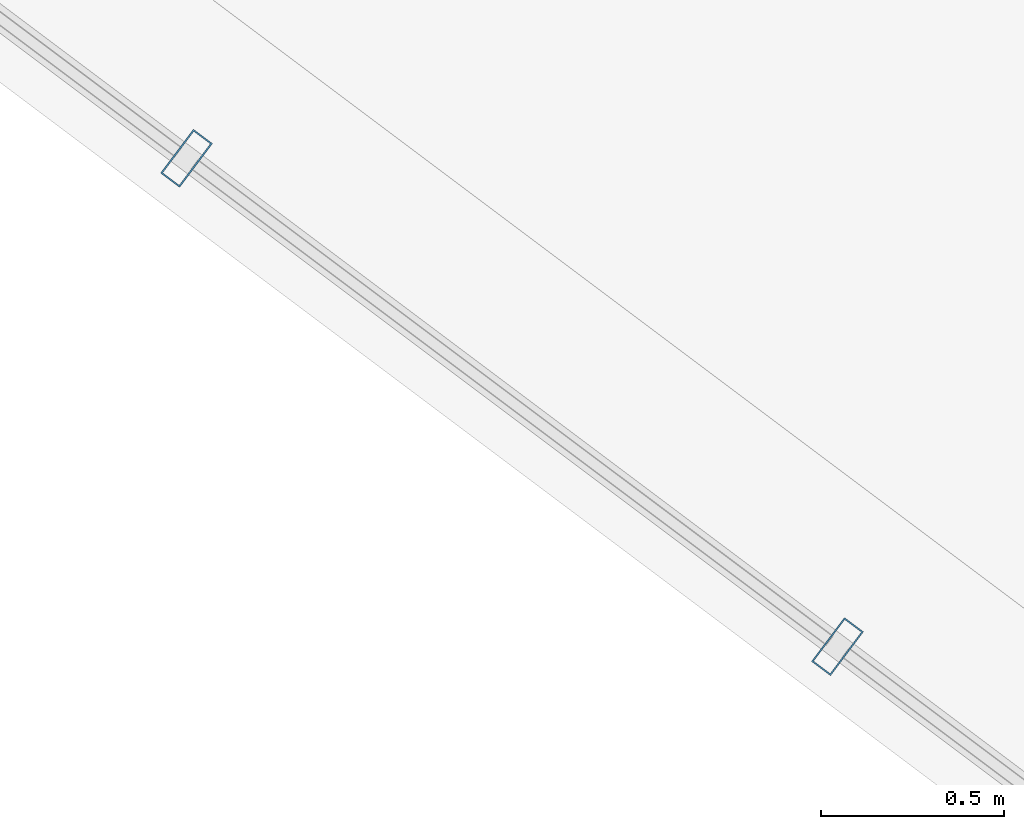
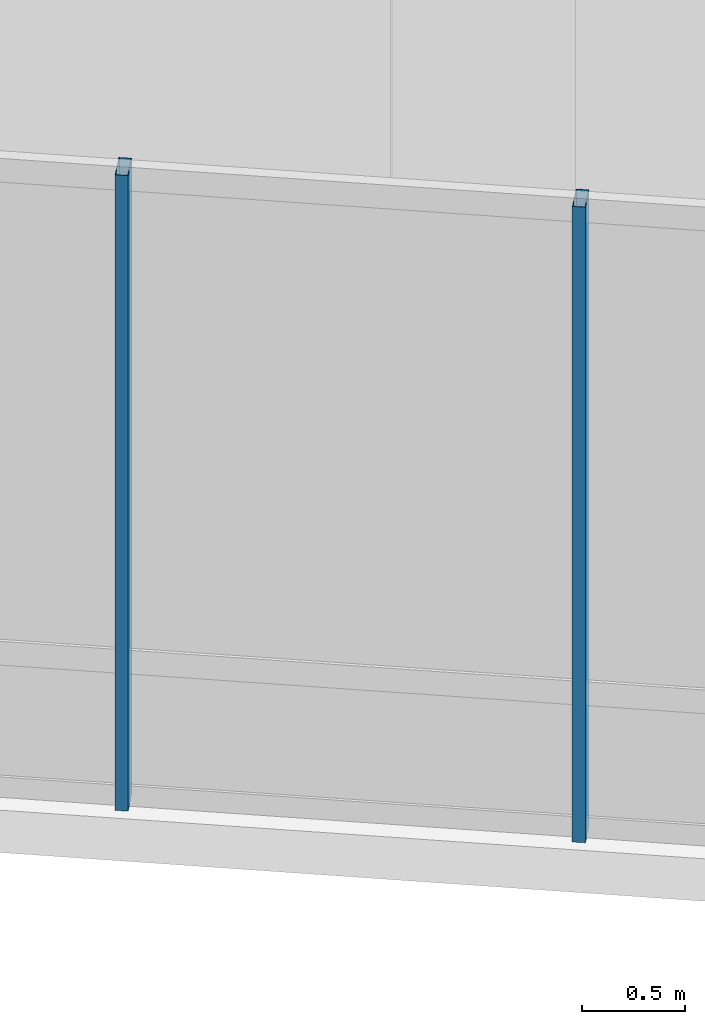
# One storey, part 2 of 30: 2 members, 1 element without a shape of its own.
"""IFC4 building model written with IfcOpenShell, lengths in metres."""

import ifcopenshell
import ifcopenshell.guid

model = None  # the IFC model being written
_history = None  # IfcOwnerHistory: only IFC2X3 demands one
_inside = {}  # id of a spatial element -> (the spatial element, [elements in it])
_under = {}  # id of a project, library or spatial element -> (it, [spatial elements below it])
_declared = {}  # id of a project -> (the project, [libraries it declares])
_typed = {}  # id of a type object -> (the type object, [elements of that type])
_made_of = {}  # id of a material, layer set ... -> (it, [elements and type objects made of it])


def new_model(schema):
    """Start an empty IFC model of exactly this schema.

    Asked for "IFC4X3", IfcOpenShell would pick the latest addendum, in which some entities
    have other attributes; the version numbers below select the first issue.
    IFC2X3 requires an IfcOwnerHistory on every rooted entity: one is made here for all.
    """
    global model, _history
    if schema == "IFC4X3":
        model = ifcopenshell.file(schema_version=(4, 3, 0, 0))
    else:
        model = ifcopenshell.file(schema=schema)
    _inside.clear()
    _under.clear()
    _declared.clear()
    _typed.clear()
    _made_of.clear()
    _history = None
    if model.schema == "IFC2X3":
        org = make("IfcOrganization", Name="unknown")
        user = make(
            "IfcPersonAndOrganization",
            ThePerson=make("IfcPerson", FamilyName="unknown"),
            TheOrganization=org,
        )
        app = make(
            "IfcApplication",
            ApplicationDeveloper=org,
            Version="unknown",
            ApplicationFullName="unknown",
            ApplicationIdentifier="unknown",
        )
        _history = make(
            "IfcOwnerHistory",
            OwningUser=user,
            OwningApplication=app,
            ChangeAction="ADDED",
            CreationDate=0,
        )
    return model


def make(cls, **values):
    """One entity of the class cls with the attributes given. An attribute that is None is left unset."""
    return model.create_entity(
        cls, **{name: value for name, value in values.items() if value is not None}
    )


def rooted(cls, **values):
    """An entity with a GlobalId (a new one), such as an element, a storey or a relation."""
    return make(cls, GlobalId=ifcopenshell.guid.new(), OwnerHistory=_history, **values)


def si_unit(unit_type, name, prefix=None):
    """IfcSIUnit, for example si_unit("LENGTHUNIT", "METRE", prefix="MILLI")."""
    return make("IfcSIUnit", UnitType=unit_type, Prefix=prefix, Name=name)


def assignment(units):
    """IfcUnitAssignment: the units of a project."""
    return None if units is None else make("IfcUnitAssignment", Units=units)


def point(xyz):
    """IfcCartesianPoint."""
    return None if xyz is None else make("IfcCartesianPoint", Coordinates=xyz)


def direction(xyz):
    """IfcDirection."""
    return None if xyz is None else make("IfcDirection", DirectionRatios=xyz)


def frame(location, z_axis=None, x_axis=None):
    """IfcAxis2Placement3D, a coordinate frame: its origin and axes. An axis left out is left unset."""
    return make(
        "IfcAxis2Placement3D",
        Location=point(location),
        Axis=direction(z_axis),
        RefDirection=direction(x_axis),
    )


def frame_2d(location, x_axis=None):
    """IfcAxis2Placement2D, a coordinate frame in the plane: its origin and x axis."""
    return make(
        "IfcAxis2Placement2D", Location=point(location), RefDirection=direction(x_axis)
    )


def origin():
    """The frame at (0, 0, 0) with its axes left unset."""
    return frame((0.0, 0.0, 0.0))


def origin_2d():
    """The frame at (0, 0) in the plane with its x axis left unset."""
    return frame_2d((0.0, 0.0))


def place(relative_to, where):
    """IfcLocalPlacement: puts the frame where relative to a parent placement (None: the world)."""
    return make(
        "IfcLocalPlacement", PlacementRelTo=relative_to, RelativePlacement=where
    )


def context(
    kind, dimensions, precision=None, world=None, true_north=None, identifier=None
):
    """IfcGeometricRepresentationContext, for example the 3D "Model" context."""
    return make(
        "IfcGeometricRepresentationContext",
        ContextIdentifier=identifier,
        ContextType=kind,
        CoordinateSpaceDimension=dimensions,
        Precision=precision,
        WorldCoordinateSystem=world,
        TrueNorth=true_north,
    )


def subcontext(parent, identifier, kind, view, scale=None):
    """IfcGeometricRepresentationSubContext, for example "Body" below "Model"."""
    return make(
        "IfcGeometricRepresentationSubContext",
        ContextIdentifier=identifier,
        ContextType=kind,
        ParentContext=parent,
        TargetScale=scale,
        TargetView=view,
    )


def project(units=None, contexts=None):
    """IfcProject with its units and contexts."""
    return rooted(
        "IfcProject",
        Name="project",
        RepresentationContexts=contexts,
        UnitsInContext=assignment(units),
    )


def spatial(cls, under=None, at=None, **own):
    """A site, building, storey or space (cls), placed at a placement, below another one or the project."""
    s = rooted(cls, ObjectPlacement=at, **own)
    if under is not None:
        _under.setdefault(under.id(), (under, []))[1].append(s)
    return s


def profile(cls, at=None, kind="AREA", **sizes):
    """A parametric profile (cls). Its sizes go by their IFC names, for example OverallWidth=200.0."""
    return make(cls, ProfileType=kind, Position=at, **sizes)


def hollow_rectangle(**sizes):
    """IfcRectangleHollowProfileDef."""
    return profile("IfcRectangleHollowProfileDef", **sizes)


def extrude(swept, where, along, depth):
    """IfcExtrudedAreaSolid: the profile swept, set in the frame where, extruded along a direction by depth."""
    return make(
        "IfcExtrudedAreaSolid",
        SweptArea=swept,
        Position=where,
        ExtrudedDirection=direction(along),
        Depth=depth,
    )


def shape(context_of_items, identifier, shape_type, items):
    """IfcShapeRepresentation: the items that make up one representation, for example the "Body"."""
    return make(
        "IfcShapeRepresentation",
        ContextOfItems=context_of_items,
        RepresentationIdentifier=identifier,
        RepresentationType=shape_type,
        Items=items,
    )


def material(Name=None, Category=None):
    """IfcMaterial."""
    return make("IfcMaterial", Name=Name, Category=Category)


def layer(
    of_material, thickness, ventilated=None, Name=None, Category=None, Priority=None
):
    """IfcMaterialLayer: one layer of a wall or slab, of a material (None: an air gap)."""
    return make(
        "IfcMaterialLayer",
        Material=of_material,
        LayerThickness=thickness,
        IsVentilated=ventilated,
        Name=Name,
        Category=Category,
        Priority=Priority,
    )


def layer_set(layers, Name=None):
    """IfcMaterialLayerSet."""
    return make("IfcMaterialLayerSet", MaterialLayers=layers, LayerSetName=Name)


def material_profile(
    of_material, cross_section, Name=None, Category=None, Priority=None
):
    """IfcMaterialProfile: a cross section and its material."""
    return make(
        "IfcMaterialProfile",
        Name=Name,
        Material=of_material,
        Profile=cross_section,
        Priority=Priority,
        Category=Category,
    )


def profile_set(profiles, Name=None, composite=None):
    """IfcMaterialProfileSet."""
    return make(
        "IfcMaterialProfileSet",
        Name=Name,
        MaterialProfiles=profiles,
        CompositeProfile=composite,
    )


def made_of(thing, what):
    """Note that an element or type object is made of a material, layer set ...; save() writes the relation."""
    if what is not None:
        _made_of.setdefault(what.id(), (what, []))[1].append(thing)
    return thing


def type_object(cls, material=None, **own):
    """A type object (cls), such as IfcWallType, which elements share."""
    return made_of(rooted(cls, **own), material)


def element(
    cls,
    number,
    at=None,
    inside=None,
    cuts=None,
    type_object=None,
    material=None,
    context=None,
    identifier="Body",
    shape_type=None,
    held_by="IfcProductDefinitionShape",
    body=None,
    shapes=None,
    **own,
):
    """One element of the class cls, such as IfcWall. Its Tag is "e" and its number.

    at: its placement. inside: the storey or other place that contains it. cuts: it is an
    opening in that element (IfcRelVoidsElement). A single representation is given by context,
    identifier, shape_type and body (its items); several are given by shapes. held_by: the class
    of the entity that holds the representations. save() writes the other relations.
    """
    e = rooted(cls, Tag="e%d" % number, ObjectPlacement=at, **own)
    if body is not None:
        shapes = [shape(context, identifier, shape_type, body)]
    if shapes is not None:
        e.Representation = make(held_by, Representations=shapes)
    if inside is not None:
        _inside.setdefault(inside.id(), (inside, []))[1].append(e)
    if cuts is not None:
        rooted(
            "IfcRelVoidsElement", RelatingBuildingElement=cuts, RelatedOpeningElement=e
        )
    if type_object is not None:
        _typed.setdefault(type_object.id(), (type_object, []))[1].append(e)
    return made_of(e, material)


def aggregate(whole, parts):
    """IfcRelAggregates: a whole, such as a stair, and the parts it consists of."""
    return rooted("IfcRelAggregates", RelatingObject=whole, RelatedObjects=parts)


def save(model, path):
    """Write the relations noted so far, then the file.

    IfcRelAggregates (storeys below a building ...), IfcRelContainedInSpatialStructure (elements
    in a storey), IfcRelDefinesByType, IfcRelAssociatesMaterial and IfcRelDeclares: one each for
    every whole, place, type object, material and project.
    """
    for whole, parts in _under.values():
        aggregate(whole, parts)
    for where, things in _inside.values():
        rooted(
            "IfcRelContainedInSpatialStructure",
            RelatedElements=things,
            RelatingStructure=where,
        )
    for kind, things in _typed.values():
        rooted("IfcRelDefinesByType", RelatedObjects=things, RelatingType=kind)
    for what, things in _made_of.values():
        rooted("IfcRelAssociatesMaterial", RelatedObjects=things, RelatingMaterial=what)
    for by, libraries in _declared.values():
        rooted("IfcRelDeclares", RelatingContext=by, RelatedDefinitions=libraries)
    model.write(path)


model = new_model("IFC4")

# Units and contexts
model_context = context("Model", 3, precision=1e-05, world=origin(), true_north=direction((0.0, 1.0)))
body_context = subcontext(model_context, "Body", "Model", "MODEL_VIEW")
ifc_project = project(units=[si_unit("LENGTHUNIT", "METRE"), si_unit("AREAUNIT", "SQUARE_METRE"), si_unit("VOLUMEUNIT", "CUBIC_METRE"), si_unit("PLANEANGLEUNIT", "RADIAN"), si_unit("MASSUNIT", "GRAM", prefix="KILO")], contexts=[model_context])

# Site, building, storey
site_placement = place(None, origin())
site = spatial("IfcSite", under=ifc_project, at=site_placement, CompositionType="ELEMENT")
building_placement = place(site_placement, origin())
building = spatial("IfcBuilding", under=site, at=building_placement, Name="Hatsunagi Terrace Concourse", CompositionType="ELEMENT")
storey_placement = place(building_placement, frame((0.0, 0.0, 273.949951171875)))
storey = spatial("IfcBuildingStorey", under=building, at=storey_placement, Name="L72", CompositionType="ELEMENT", Elevation=273.949951171875)

# Curtain wall, members
ifc_material_1 = material(Name="Anodised Aluminium Alloy 6063-T5", Category="aluminium")
ifc_layer = layer(ifc_material_1, 0.199951171875)
ifc_layer_set = layer_set([ifc_layer], Name="CrownWintergarden_CW06")
curtain_wall_type = type_object("IfcCurtainWallType", Name="CrownWintergarden_CW06", PredefinedType="NOTDEFINED", material=ifc_layer_set)
curtain_wall_placement = place(storey_placement, origin())
curtain_wall = element("IfcCurtainWall", 1, at=curtain_wall_placement, inside=storey, type_object=curtain_wall_type, Name="Unitised Curtain Wall CW-06 CW-L72-05", PredefinedType="NOTDEFINED")
ifc_material_2 = material(Name="Anodised Aluminium Alloy 6063-T5", Category="aluminium")
ifc_material_profile = material_profile(ifc_material_2, hollow_rectangle(XDim=0.06494140625, YDim=0.14990234375, WallThickness=0.00390625, at=origin_2d()), Name="ALU-MUL-150x65x4")
ifc_profile_set = profile_set([ifc_material_profile], Name="Anodised Aluminium Alloy 6063-T5")
member_type = type_object("IfcMemberType", Name="CurtainWallMullion_Crown_150x65", PredefinedType="MULLION", material=ifc_profile_set)
member_1_placement = place(storey_placement, frame((35.93603515625, 15.52294921875, 0.0), z_axis=(0.0, 0.0, 1.0), x_axis=(-0.800007305671, 0.599990258982, 0.0)))
member_1 = element("IfcMember", 2, at=member_1_placement, type_object=member_type, Name="Curtain Wall Mullion MUL-03", PredefinedType="MULLION", context=body_context, shape_type="SweptSolid", body=[
    extrude(hollow_rectangle(XDim=0.06494140625, YDim=0.14990234375, WallThickness=0.00390625, at=origin_2d()), origin(), (0.0, 0.0, 1.0), 3.75),
])
member_2_placement = place(storey_placement, frame((34.155029296875, 16.85888671875, 0.0), z_axis=(0.0, 0.0, 1.0), x_axis=(-0.800007305671, 0.599990258982, 0.0)))
member_2 = element("IfcMember", 3, at=member_2_placement, type_object=member_type, Name="Curtain Wall Mullion MUL-03", PredefinedType="MULLION", context=body_context, shape_type="SweptSolid", body=[
    extrude(hollow_rectangle(XDim=0.06494140625, YDim=0.14990234375, WallThickness=0.00390625, at=origin_2d()), origin(), (0.0, 0.0, 1.0), 3.75),
])
aggregate(curtain_wall, [member_1, member_2])

save(model, "model.ifc")
